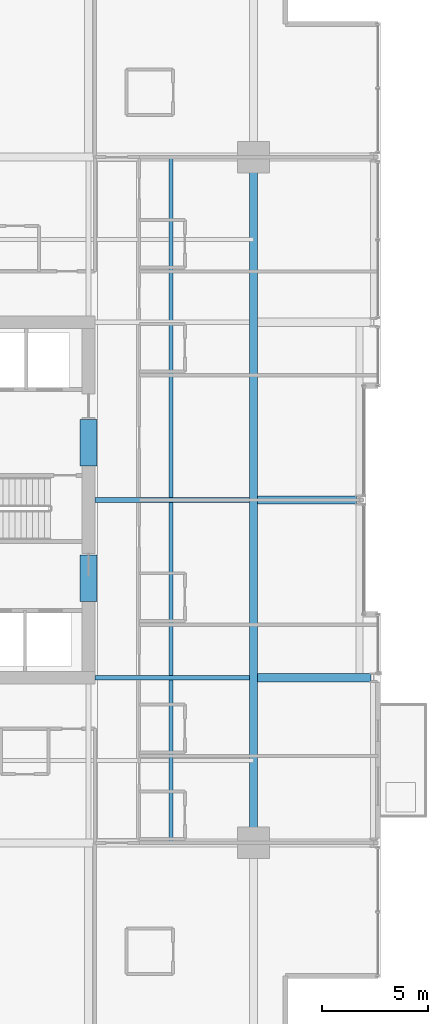
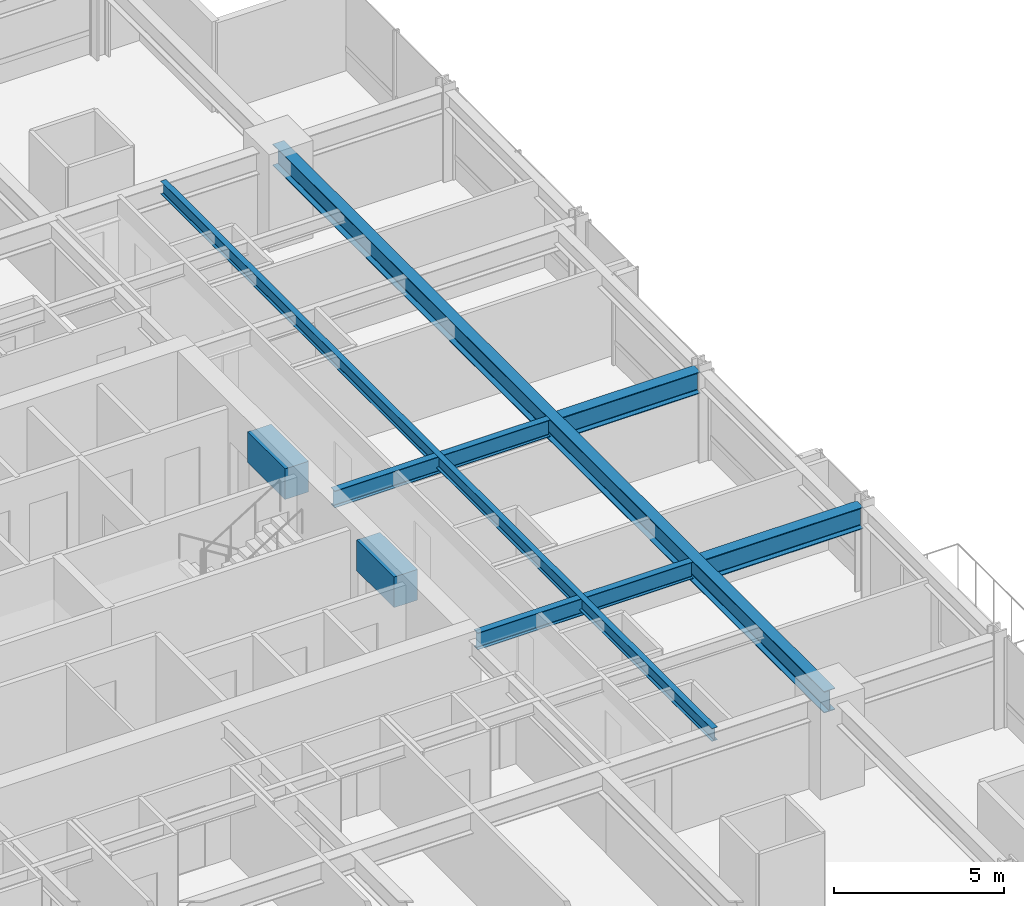
# One storey, part 14 of 34: 8 beams.
"""IFC4 building model written with IfcOpenShell, lengths in metres."""

from ifc_helpers import new_model, si_unit, direction, frame, origin, origin_2d, place, context, subcontext, project, spatial, rectangle, i_section, extrude, material, material_profile, profile_set, type_object, element, save


model = new_model("IFC4")

# Units and contexts
model_context = context("Model", 3, precision=1e-05, world=origin(), true_north=direction((0.0, 1.0)))
body_context = subcontext(model_context, "Body", "Model", "MODEL_VIEW")
ifc_project = project(units=[si_unit("LENGTHUNIT", "METRE"), si_unit("AREAUNIT", "SQUARE_METRE"), si_unit("VOLUMEUNIT", "CUBIC_METRE"), si_unit("PLANEANGLEUNIT", "RADIAN"), si_unit("MASSUNIT", "GRAM", prefix="KILO")], contexts=[model_context])

# Site, building, storey
site_placement = place(None, origin())
site = spatial("IfcSite", under=ifc_project, at=site_placement, CompositionType="ELEMENT")
building_placement = place(site_placement, origin())
building = spatial("IfcBuilding", under=site, at=building_placement, Name="Drelvath Grand Hotel", CompositionType="ELEMENT")
storey_placement = place(building_placement, frame((0.0, 0.0, 91.800048828125)))
storey = spatial("IfcBuildingStorey", under=building, at=storey_placement, Name="L22", CompositionType="ELEMENT", Elevation=91.800048828125)

# Beams
ifc_material_1 = material(Name="Steel ASTM A992 Gr 50", Category="steel")
ifc_material_profile_1 = material_profile(ifc_material_1, i_section(OverallWidth=0.19140625, OverallDepth=0.4599609375, WebThickness=0.010009765625, FlangeThickness=0.01611328125, FilletRadius=0.01611328125, at=origin_2d()), Name="W18X55")
ifc_profile_set_1 = profile_set([ifc_material_profile_1], Name="Steel ASTM A992 Gr 50")
beam_type_1 = type_object("IfcBeamType", Name="Composite Floor Joist W18X55", PredefinedType="JOIST", material=ifc_profile_set_1)
beam_1_placement = place(storey_placement, frame((12.300048828125, 10.800048828125, 3.010009765625), z_axis=(0.0, 1.0, 0.0), x_axis=(-1.0, 0.0, 0.0)))
element("IfcBeam", 1, at=beam_1_placement, inside=storey, type_object=beam_type_1, Name="L22 Wing Floor Joist J4", PredefinedType="JOIST", context=body_context, shape_type="SweptSolid", body=[
    extrude(i_section(OverallWidth=0.19140625, OverallDepth=0.4599609375, WebThickness=0.010009765625, FlangeThickness=0.01611328125, FilletRadius=0.01611328125, at=origin_2d()), origin(), (0.0, 0.0, 1.0), 32.39990234375),
])
ifc_material_2 = material(Name="Concrete f'c 70 MPa", Category="concrete")
ifc_material_profile_2 = material_profile(ifc_material_2, rectangle(XDim=0.800048828125, YDim=1.10009765625, at=origin_2d()), Name="CB800X1100")
ifc_profile_set_2 = profile_set([ifc_material_profile_2], Name="Concrete f'c 70 MPa")
beam_type_2 = type_object("IfcBeamType", Name="Core Coupling Lintel CB800X1100", PredefinedType="LINTEL", material=ifc_profile_set_2)
for number, where, z_axis, x_axis, name in (
    (2, (8.39990234375, 22.199951171875, 2.68994140625), (0.0, 1.0, 0.0), (-1.0, 0.0, 0.0), "L22 Core Coupling Lintel ES"),
    (3, (8.39990234375, 28.60009765625, 2.68994140625), (0.0, 1.0, 0.0), (-1.0, 0.0, 0.0), "L22 Core Coupling Lintel EN"),
):
    element("IfcBeam", number, at=place(storey_placement, frame(where, z_axis=z_axis, x_axis=x_axis)), inside=storey, type_object=beam_type_2, Name=name, PredefinedType="LINTEL", context=body_context, shape_type="SweptSolid", body=[
        extrude(rectangle(XDim=0.800048828125, YDim=1.10009765625, at=origin_2d()), origin(), (0.0, 0.0, 1.0), 2.199951171875),
    ])
ifc_material_profile_3 = material_profile(ifc_material_1, i_section(OverallWidth=0.228271484375, OverallDepth=0.607666015625, WebThickness=0.01123046875, FlangeThickness=0.017333984375, FilletRadius=0.02001953125, at=origin_2d()), Name="W24X76")
ifc_profile_set_3 = profile_set([ifc_material_profile_3], Name="Steel ASTM A992 Gr 50")
beam_type_3 = type_object("IfcBeamType", Name="Primary Floor Girder W24X76", PredefinedType="BEAM", material=ifc_profile_set_3)
for number, where, z_axis, x_axis, name in (
    (4, (8.699951171875, 18.60009765625, 2.93603515625), (1.0, 0.0, 0.0), (0.0, 1.0, 0.0), "L22 East Core Tie D"),
    (5, (8.699951171875, 27.0, 2.93603515625), (1.0, 0.0, 0.0), (0.0, 1.0, 0.0), "L22 East Core Tie E"),
):
    element("IfcBeam", number, at=place(storey_placement, frame(where, z_axis=z_axis, x_axis=x_axis)), inside=storey, type_object=beam_type_3, Name=name, PredefinedType="BEAM", context=body_context, shape_type="SweptSolid", body=[
        extrude(i_section(OverallWidth=0.228271484375, OverallDepth=0.607666015625, WebThickness=0.01123046875, FlangeThickness=0.017333984375, FilletRadius=0.02001953125, at=origin_2d()), origin(), (0.0, 0.0, 1.0), 7.309814453125),
    ])
ifc_material_profile_4 = material_profile(ifc_material_1, i_section(OverallWidth=0.380615234375, OverallDepth=0.773193359375, WebThickness=0.0166015625, FlangeThickness=0.027099609375, FilletRadius=0.02490234375, at=origin_2d()), Name="W30X173")
ifc_profile_set_4 = profile_set([ifc_material_profile_4], Name="Steel ASTM A992 Gr 50")
beam_type_4 = type_object("IfcBeamType", Name="Primary Floor Girder W30X173", PredefinedType="BEAM", material=ifc_profile_set_4)
beam_2_placement = place(storey_placement, frame((16.199951171875, 10.800048828125, 2.853271484375), z_axis=(0.0, 1.0, 0.0), x_axis=(-1.0, 0.0, 0.0)))
element("IfcBeam", 6, at=beam_2_placement, inside=storey, type_object=beam_type_4, Name="L22 Mega Ring Girder East", PredefinedType="BEAM", context=body_context, shape_type="SweptSolid", body=[
    extrude(i_section(OverallWidth=0.380615234375, OverallDepth=0.773193359375, WebThickness=0.0166015625, FlangeThickness=0.027099609375, FilletRadius=0.02490234375, at=origin_2d()), origin(), (0.0, 0.0, 1.0), 32.39990234375),
])
beam_3_placement = place(storey_placement, frame((16.390380859375, 18.60009765625, 2.853271484375), z_axis=(1.0, 0.0, 0.0), x_axis=(0.0, 1.0, 0.0)))
element("IfcBeam", 7, at=beam_3_placement, inside=storey, type_object=beam_type_4, Name="L22 East Wing Girder D", PredefinedType="BEAM", context=body_context, shape_type="SweptSolid", body=[
    extrude(i_section(OverallWidth=0.380615234375, OverallDepth=0.773193359375, WebThickness=0.0166015625, FlangeThickness=0.027099609375, FilletRadius=0.02490234375, at=origin_2d()), origin(), (0.0, 0.0, 1.0), 5.349609375),
])
beam_4_placement = place(storey_placement, frame((16.390380859375, 27.0, 2.853271484375), z_axis=(1.0, 0.0, 0.0), x_axis=(0.0, 1.0, 0.0)))
element("IfcBeam", 8, at=beam_4_placement, inside=storey, type_object=beam_type_4, Name="L22 East Wing Girder E", PredefinedType="BEAM", context=body_context, shape_type="SweptSolid", body=[
    extrude(i_section(OverallWidth=0.380615234375, OverallDepth=0.773193359375, WebThickness=0.0166015625, FlangeThickness=0.027099609375, FilletRadius=0.02490234375, at=origin_2d()), origin(), (0.0, 0.0, 1.0), 4.669677734375),
])

save(model, "model.ifc")
